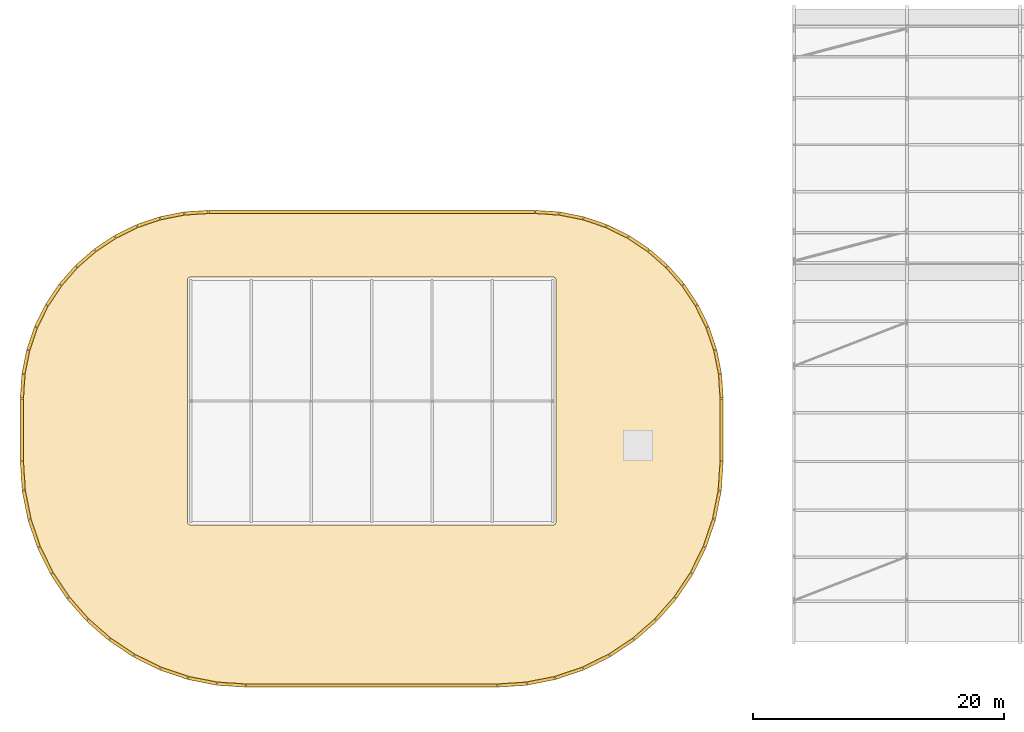
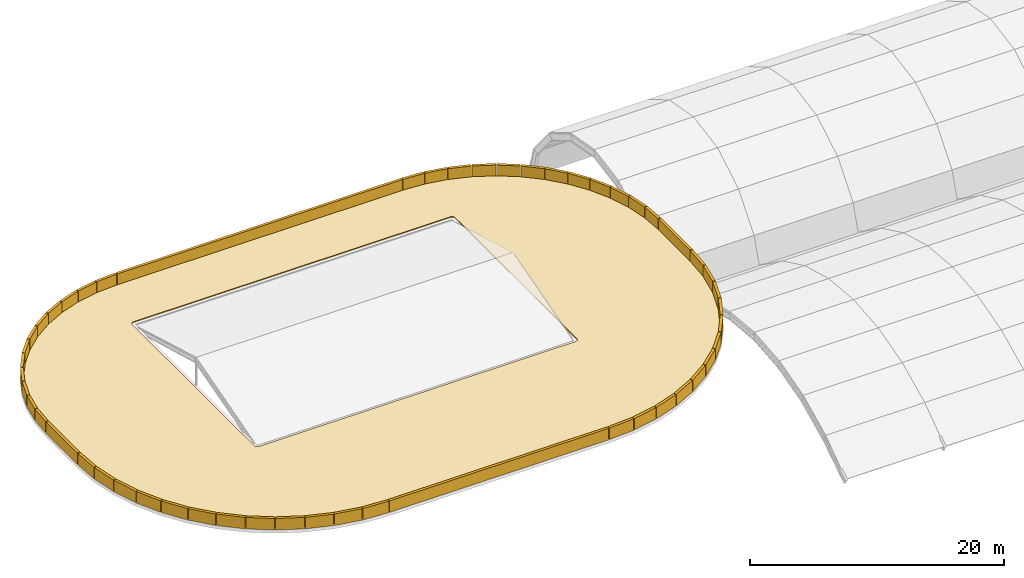
# One storey, part 15 of 15: 53 coverings.
"""IFC4 building model written with IfcOpenShell, lengths in metres."""

from ifc_helpers import new_model, si_unit, direction, frame, origin, origin_2d, place, context, subcontext, project, spatial, polyline, rectangle, outline, extrude, material, layer, layer_set, type_object, element, save


model = new_model("IFC4")

# Units and contexts
model_context = context("Model", 3, precision=1e-05, world=origin(), true_north=direction((0.0, 1.0)))
body_context = subcontext(model_context, "Body", "Model", "MODEL_VIEW")
ifc_project = project(units=[si_unit("LENGTHUNIT", "METRE"), si_unit("AREAUNIT", "SQUARE_METRE"), si_unit("VOLUMEUNIT", "CUBIC_METRE"), si_unit("PLANEANGLEUNIT", "RADIAN"), si_unit("MASSUNIT", "GRAM", prefix="KILO")], contexts=[model_context])

# Site, building, storey
site_placement = place(None, origin())
site = spatial("IfcSite", under=ifc_project, at=site_placement, CompositionType="ELEMENT")
building_placement = place(site_placement, origin())
building = spatial("IfcBuilding", under=site, at=building_placement, Name="Cendralis Terraced Arcade", CompositionType="ELEMENT")
storey_placement = place(building_placement, frame((0.0, 0.0, 34.199951171875)))
storey = spatial("IfcBuildingStorey", under=building, at=storey_placement, Name="RF", CompositionType="ELEMENT", Elevation=34.199951171875)

# Coverings
ifc_material_1 = material(Name="Precast concrete f'c 40 MPa", Category="concrete")
ifc_layer_1 = layer(ifc_material_1, 0.06494140625, Name="COV-CLAD-GRC-65")
ifc_layer_set_1 = layer_set([ifc_layer_1], Name="Precast concrete f'c 40 MPa")
covering_type_1 = type_object("IfcCoveringType", Name="COV-CLAD-GRC-65", PredefinedType="CLADDING", material=ifc_layer_set_1)
for number, where, z_axis, x_axis, name in (
    (1, (6.06201171875, 31.891845703125, 0.0), (0.0, 0.0, 1.0), (0.195090322016, 0.980785280403, 0.0), "Precast Stone Crown Roof Parapet Coping COP-RF-554"),
    (2, (6.563720703125, 33.7646484375, 0.0), (0.0, 0.0, 1.0), (0.321439465303, 0.946930129495, 0.0), "Precast Stone Crown Roof Parapet Coping COP-RF-555"),
    (3, (7.3056640625, 35.555908203125, 0.0), (0.0, 0.0, 1.0), (0.442288690219, 0.896872741533, 0.0), "Precast Stone Crown Roof Parapet Coping COP-RF-556"),
    (4, (8.275146484375, 37.235107421875, 0.0), (0.0, 0.0, 1.0), (0.555584744817, 0.831459915646, 0.0), "Precast Stone Crown Roof Parapet Coping COP-RF-557"),
    (5, (9.45556640625, 38.7734375, 0.0), (0.0, 0.0, 1.0), (0.6593458151, 0.751839807479, 0.0), "Precast Stone Crown Roof Parapet Coping COP-RF-558"),
    (6, (10.82666015625, 40.144287109375, 0.0), (0.0, 0.0, 1.0), (0.751839807479, 0.6593458151, 0.0), "Precast Stone Crown Roof Parapet Coping COP-RF-559"),
    (7, (12.364990234375, 41.32470703125, 0.0), (0.0, 0.0, 1.0), (0.831459915646, 0.555584744817, 0.0), "Precast Stone Crown Roof Parapet Coping COP-RF-560"),
    (8, (14.0439453125, 42.294189453125, 0.0), (0.0, 0.0, 1.0), (0.896872741533, 0.442288690219, 0.0), "Precast Stone Crown Roof Parapet Coping COP-RF-561"),
    (9, (15.835205078125, 43.0361328125, 0.0), (0.0, 0.0, 1.0), (0.946930129495, 0.321439465303, 0.0), "Precast Stone Crown Roof Parapet Coping COP-RF-562"),
    (10, (17.708251953125, 43.5380859375, 0.0), (0.0, 0.0, 1.0), (0.980785280403, 0.195090322016, 0.0), "Precast Stone Crown Roof Parapet Coping COP-RF-563"),
    (11, (19.630615234375, 43.791259765625, 0.0), (0.0, 0.0, 1.0), (0.997860064587, 0.065385713297, 0.0), "Precast Stone Crown Roof Parapet Coping COP-RF-564"),
):
    element("IfcCovering", number, at=place(storey_placement, frame(where, z_axis=z_axis, x_axis=x_axis)), inside=storey, type_object=covering_type_1, Name=name, PredefinedType="CLADDING", context=body_context, shape_type="SweptSolid", body=[
        extrude(rectangle(XDim=1.882080078125, YDim=0.239990234375, at=origin_2d()), origin(), (0.0, 0.0, 1.0), 1.10009765625),
    ])
covering_1_placement = place(storey_placement, frame((33.60009765625, 43.85498046875, 0.0), z_axis=(0.0, 0.0, 1.0), x_axis=(1.0, 0.0, 0.0)))
element("IfcCovering", 12, at=covering_1_placement, inside=storey, type_object=covering_type_1, Name="Precast Stone Crown Roof Parapet Coping COP-RF-565", PredefinedType="CLADDING", context=body_context, shape_type="SweptSolid", body=[
    extrude(rectangle(XDim=25.919921875, YDim=0.239990234375, at=origin_2d()), origin(), (0.0, 0.0, 1.0), 1.10009765625),
])
for number, where, z_axis, x_axis, name in (
    (13, (47.569580078125, 43.791259765625, 0.0), (0.0, 0.0, 1.0), (0.997860064587, -0.065385713297, 0.0), "Precast Stone Crown Roof Parapet Coping COP-RF-566"),
    (14, (49.49169921875, 43.5380859375, 0.0), (0.0, 0.0, 1.0), (0.980785280403, -0.195090322016, 0.0), "Precast Stone Crown Roof Parapet Coping COP-RF-567"),
    (15, (51.36474609375, 43.0361328125, 0.0), (0.0, 0.0, 1.0), (0.946930129495, -0.321439465303, 0.0), "Precast Stone Crown Roof Parapet Coping COP-RF-568"),
    (16, (53.156005859375, 42.294189453125, 0.0), (0.0, 0.0, 1.0), (0.896872741533, -0.442288690219, 0.0), "Precast Stone Crown Roof Parapet Coping COP-RF-569"),
    (17, (54.835205078125, 41.32470703125, 0.0), (0.0, 0.0, 1.0), (0.831459915646, -0.555584744817, 0.0), "Precast Stone Crown Roof Parapet Coping COP-RF-570"),
    (18, (56.373291015625, 40.144287109375, 0.0), (0.0, 0.0, 1.0), (0.751839807479, -0.6593458151, 0.0), "Precast Stone Crown Roof Parapet Coping COP-RF-571"),
    (19, (57.744384765625, 38.7734375, 0.0), (0.0, 0.0, 1.0), (0.6593458151, -0.751839807479, 0.0), "Precast Stone Crown Roof Parapet Coping COP-RF-572"),
    (20, (58.9248046875, 37.235107421875, 0.0), (0.0, 0.0, 1.0), (0.555584744817, -0.831459915646, 0.0), "Precast Stone Crown Roof Parapet Coping COP-RF-573"),
    (21, (59.894287109375, 35.555908203125, 0.0), (0.0, 0.0, 1.0), (0.442288690219, -0.896872741533, 0.0), "Precast Stone Crown Roof Parapet Coping COP-RF-574"),
    (22, (60.63623046875, 33.7646484375, 0.0), (0.0, 0.0, 1.0), (0.321439465303, -0.946930129495, 0.0), "Precast Stone Crown Roof Parapet Coping COP-RF-575"),
    (23, (61.13818359375, 31.891845703125, 0.0), (0.0, 0.0, 1.0), (0.195090322016, -0.980785280403, 0.0), "Precast Stone Crown Roof Parapet Coping COP-RF-576"),
    (24, (61.39111328125, 29.969482421875, 0.0), (0.0, 0.0, 1.0), (0.065385713297, -0.997860064587, 0.0), "Precast Stone Crown Roof Parapet Coping COP-RF-577"),
):
    element("IfcCovering", number, at=place(storey_placement, frame(where, z_axis=z_axis, x_axis=x_axis)), inside=storey, type_object=covering_type_1, Name=name, PredefinedType="CLADDING", context=body_context, shape_type="SweptSolid", body=[
        extrude(rectangle(XDim=1.882080078125, YDim=0.239990234375, at=origin_2d()), origin(), (0.0, 0.0, 1.0), 1.10009765625),
    ])
covering_2_placement = place(storey_placement, frame((61.455078125, 26.5, 0.0), z_axis=(0.0, 0.0, 1.0), x_axis=(0.0, -1.0, 0.0)))
element("IfcCovering", 25, at=covering_2_placement, inside=storey, type_object=covering_type_1, Name="Precast Stone Crown Roof Parapet Coping COP-RF-578", PredefinedType="CLADDING", context=body_context, shape_type="SweptSolid", body=[
    extrude(rectangle(XDim=4.919921875, YDim=0.239990234375, at=origin_2d()), origin(), (0.0, 0.0, 1.0), 1.10009765625),
])
for number, where, z_axis, x_axis, name in (
    (26, (61.37841796875, 22.834716796875, 0.0), (0.0, 0.0, 1.0), (-0.06540312923, -0.997858923239, 0.0), "Precast Stone Crown Roof Parapet Coping COP-RF-579"),
    (27, (61.07421875, 20.524169921875, 0.0), (0.0, 0.0, 1.0), (-0.195073204054, -0.980788685222, 0.0), "Precast Stone Crown Roof Parapet Coping COP-RF-580"),
):
    element("IfcCovering", number, at=place(storey_placement, frame(where, z_axis=z_axis, x_axis=x_axis)), inside=storey, type_object=covering_type_1, Name=name, PredefinedType="CLADDING", context=body_context, shape_type="SweptSolid", body=[
        extrude(rectangle(XDim=2.2744140625, YDim=0.239990234375, at=origin_2d()), origin(), (0.0, 0.0, 1.0), 1.10009765625),
    ])
covering_3_placement = place(storey_placement, frame((60.470947265625, 18.273193359375, 0.0), z_axis=(0.0, 0.0, 1.0), x_axis=(-0.321455992303, -0.946924519174, 0.0)))
element("IfcCovering", 28, at=covering_3_placement, inside=storey, type_object=covering_type_1, Name="Precast Stone Crown Roof Parapet Coping COP-RF-581", PredefinedType="CLADDING", context=body_context, shape_type="SweptSolid", body=[
    extrude(rectangle(XDim=2.274658203125, YDim=0.239990234375, at=origin_2d()), origin(), (0.0, 0.0, 1.0), 1.10009765625),
])
for number, where, z_axis, x_axis, name in (
    (29, (59.5791015625, 16.119873046875, 0.0), (0.0, 0.0, 1.0), (-0.442257383185, -0.896888179774, 0.0), "Precast Stone Crown Roof Parapet Coping COP-RF-582"),
    (30, (58.413818359375, 14.101806640625, 0.0), (0.0, 0.0, 1.0), (-0.55557023302, -0.831469612303, 0.0), "Precast Stone Crown Roof Parapet Coping COP-RF-583"),
    (31, (56.9951171875, 12.252685546875, 0.0), (0.0, 0.0, 1.0), (-0.65935893708, -0.751828299609, 0.0), "Precast Stone Crown Roof Parapet Coping COP-RF-584"),
    (32, (55.34716796875, 10.604736328125, 0.0), (0.0, 0.0, 1.0), (-0.751828299609, -0.65935893708, 0.0), "Precast Stone Crown Roof Parapet Coping COP-RF-585"),
    (33, (53.498291015625, 9.18603515625, 0.0), (0.0, 0.0, 1.0), (-0.831469612303, -0.55557023302, 0.0), "Precast Stone Crown Roof Parapet Coping COP-RF-586"),
    (34, (51.47998046875, 8.020751953125, 0.0), (0.0, 0.0, 1.0), (-0.896888179774, -0.442257383185, 0.0), "Precast Stone Crown Roof Parapet Coping COP-RF-587"),
):
    element("IfcCovering", number, at=place(storey_placement, frame(where, z_axis=z_axis, x_axis=x_axis)), inside=storey, type_object=covering_type_1, Name=name, PredefinedType="CLADDING", context=body_context, shape_type="SweptSolid", body=[
        extrude(rectangle(XDim=2.2744140625, YDim=0.239990234375, at=origin_2d()), origin(), (0.0, 0.0, 1.0), 1.10009765625),
    ])
covering_4_placement = place(storey_placement, frame((49.326904296875, 7.129150390625, 0.0), z_axis=(0.0, 0.0, 1.0), x_axis=(-0.946924519174, -0.321455992303, 0.0)))
element("IfcCovering", 35, at=covering_4_placement, inside=storey, type_object=covering_type_1, Name="Precast Stone Crown Roof Parapet Coping COP-RF-588", PredefinedType="CLADDING", context=body_context, shape_type="SweptSolid", body=[
    extrude(rectangle(XDim=2.274658203125, YDim=0.239990234375, at=origin_2d()), origin(), (0.0, 0.0, 1.0), 1.10009765625),
])
for number, where, z_axis, x_axis, name in (
    (36, (47.07568359375, 6.52587890625, 0.0), (0.0, 0.0, 1.0), (-0.980788685222, -0.195073204054, 0.0), "Precast Stone Crown Roof Parapet Coping COP-RF-589"),
    (37, (44.76513671875, 6.2216796875, 0.0), (0.0, 0.0, 1.0), (-0.997858923239, -0.06540312923, 0.0), "Precast Stone Crown Roof Parapet Coping COP-RF-590"),
):
    element("IfcCovering", number, at=place(storey_placement, frame(where, z_axis=z_axis, x_axis=x_axis)), inside=storey, type_object=covering_type_1, Name=name, PredefinedType="CLADDING", context=body_context, shape_type="SweptSolid", body=[
        extrude(rectangle(XDim=2.2744140625, YDim=0.239990234375, at=origin_2d()), origin(), (0.0, 0.0, 1.0), 1.10009765625),
    ])
covering_5_placement = place(storey_placement, frame((33.60009765625, 6.14501953125, 0.0), z_axis=(0.0, 0.0, 1.0), x_axis=(-1.0, 0.0, 0.0)))
element("IfcCovering", 38, at=covering_5_placement, inside=storey, type_object=covering_type_1, Name="Precast Stone Crown Roof Parapet Coping COP-RF-591", PredefinedType="CLADDING", context=body_context, shape_type="SweptSolid", body=[
    extrude(rectangle(XDim=19.919921875, YDim=0.239990234375, at=origin_2d()), origin(), (0.0, 0.0, 1.0), 1.10009765625),
])
for number, where, z_axis, x_axis, name in (
    (39, (22.434814453125, 6.2216796875, 0.0), (0.0, 0.0, 1.0), (-0.997858923239, 0.06540312923, 0.0), "Precast Stone Crown Roof Parapet Coping COP-RF-592"),
    (40, (20.124267578125, 6.52587890625, 0.0), (0.0, 0.0, 1.0), (-0.980788685222, 0.195073204054, 0.0), "Precast Stone Crown Roof Parapet Coping COP-RF-593"),
):
    element("IfcCovering", number, at=place(storey_placement, frame(where, z_axis=z_axis, x_axis=x_axis)), inside=storey, type_object=covering_type_1, Name=name, PredefinedType="CLADDING", context=body_context, shape_type="SweptSolid", body=[
        extrude(rectangle(XDim=2.2744140625, YDim=0.239990234375, at=origin_2d()), origin(), (0.0, 0.0, 1.0), 1.10009765625),
    ])
covering_6_placement = place(storey_placement, frame((17.873046875, 7.129150390625, 0.0), z_axis=(0.0, 0.0, 1.0), x_axis=(-0.946924519174, 0.321455992303, 0.0)))
element("IfcCovering", 41, at=covering_6_placement, inside=storey, type_object=covering_type_1, Name="Precast Stone Crown Roof Parapet Coping COP-RF-594", PredefinedType="CLADDING", context=body_context, shape_type="SweptSolid", body=[
    extrude(rectangle(XDim=2.274658203125, YDim=0.239990234375, at=origin_2d()), origin(), (0.0, 0.0, 1.0), 1.10009765625),
])
for number, where, z_axis, x_axis, name in (
    (42, (15.719970703125, 8.020751953125, 0.0), (0.0, 0.0, 1.0), (-0.896888179774, 0.442257383185, 0.0), "Precast Stone Crown Roof Parapet Coping COP-RF-595"),
    (43, (13.701904296875, 9.18603515625, 0.0), (0.0, 0.0, 1.0), (-0.831469612303, 0.55557023302, 0.0), "Precast Stone Crown Roof Parapet Coping COP-RF-596"),
    (44, (11.852783203125, 10.604736328125, 0.0), (0.0, 0.0, 1.0), (-0.751828299609, 0.65935893708, 0.0), "Precast Stone Crown Roof Parapet Coping COP-RF-597"),
    (45, (10.204833984375, 12.252685546875, 0.0), (0.0, 0.0, 1.0), (-0.65935893708, 0.751828299609, 0.0), "Precast Stone Crown Roof Parapet Coping COP-RF-598"),
    (46, (8.7861328125, 14.101806640625, 0.0), (0.0, 0.0, 1.0), (-0.55557023302, 0.831469612303, 0.0), "Precast Stone Crown Roof Parapet Coping COP-RF-599"),
    (47, (7.620849609375, 16.119873046875, 0.0), (0.0, 0.0, 1.0), (-0.442257383185, 0.896888179774, 0.0), "Precast Stone Crown Roof Parapet Coping COP-RF-600"),
):
    element("IfcCovering", number, at=place(storey_placement, frame(where, z_axis=z_axis, x_axis=x_axis)), inside=storey, type_object=covering_type_1, Name=name, PredefinedType="CLADDING", context=body_context, shape_type="SweptSolid", body=[
        extrude(rectangle(XDim=2.2744140625, YDim=0.239990234375, at=origin_2d()), origin(), (0.0, 0.0, 1.0), 1.10009765625),
    ])
covering_7_placement = place(storey_placement, frame((6.72900390625, 18.273193359375, 0.0), z_axis=(0.0, 0.0, 1.0), x_axis=(-0.321455992303, 0.946924519174, 0.0)))
element("IfcCovering", 48, at=covering_7_placement, inside=storey, type_object=covering_type_1, Name="Precast Stone Crown Roof Parapet Coping COP-RF-601", PredefinedType="CLADDING", context=body_context, shape_type="SweptSolid", body=[
    extrude(rectangle(XDim=2.274658203125, YDim=0.239990234375, at=origin_2d()), origin(), (0.0, 0.0, 1.0), 1.10009765625),
])
for number, where, z_axis, x_axis, name in (
    (49, (6.125732421875, 20.524169921875, 0.0), (0.0, 0.0, 1.0), (-0.195073204054, 0.980788685222, 0.0), "Precast Stone Crown Roof Parapet Coping COP-RF-602"),
    (50, (5.82177734375, 22.834716796875, 0.0), (0.0, 0.0, 1.0), (-0.06540312923, 0.997858923239, 0.0), "Precast Stone Crown Roof Parapet Coping COP-RF-603"),
):
    element("IfcCovering", number, at=place(storey_placement, frame(where, z_axis=z_axis, x_axis=x_axis)), inside=storey, type_object=covering_type_1, Name=name, PredefinedType="CLADDING", context=body_context, shape_type="SweptSolid", body=[
        extrude(rectangle(XDim=2.2744140625, YDim=0.239990234375, at=origin_2d()), origin(), (0.0, 0.0, 1.0), 1.10009765625),
    ])
covering_8_placement = place(storey_placement, frame((5.7451171875, 26.5, 0.0), z_axis=(0.0, 0.0, 1.0), x_axis=(0.0, 1.0, 0.0)))
element("IfcCovering", 51, at=covering_8_placement, inside=storey, type_object=covering_type_1, Name="Precast Stone Crown Roof Parapet Coping COP-RF-604", PredefinedType="CLADDING", context=body_context, shape_type="SweptSolid", body=[
    extrude(rectangle(XDim=4.919921875, YDim=0.239990234375, at=origin_2d()), origin(), (0.0, 0.0, 1.0), 1.10009765625),
])
covering_9_placement = place(storey_placement, frame((5.808837890625, 29.969482421875, 0.0), z_axis=(0.0, 0.0, 1.0), x_axis=(0.065385713297, 0.997860064587, 0.0)))
element("IfcCovering", 52, at=covering_9_placement, inside=storey, type_object=covering_type_1, Name="Precast Stone Crown Roof Parapet Coping COP-RF-605", PredefinedType="CLADDING", context=body_context, shape_type="SweptSolid", body=[
    extrude(rectangle(XDim=1.882080078125, YDim=0.239990234375, at=origin_2d()), origin(), (0.0, 0.0, 1.0), 1.10009765625),
])
ifc_material_2 = material(Name="TPO insulated waterproofing membrane")
ifc_layer_2 = layer(ifc_material_2, 0.080078125, Name="COV-ROOF-MEM-80")
ifc_layer_set_2 = layer_set([ifc_layer_2], Name="TPO insulated waterproofing membrane")
covering_type_2 = type_object("IfcCoveringType", Name="COV-ROOF-MEM-80", PredefinedType="ROOFING", material=ifc_layer_set_2)
covering_10_placement = place(storey_placement, origin())
element("IfcCovering", 53, at=covering_10_placement, inside=storey, type_object=covering_type_2, Name="Insulated Waterproofing Roof Membrane RF-10", PredefinedType="ROOFING", context=body_context, shape_type="SweptSolid", body=[
    extrude(outline(polyline([(6.006591796875, 30.92138671875), (6.382080078125, 32.809814453125), (7.0009765625, 34.6328125), (7.8525390625, 36.359619140625), (8.92236328125, 37.960693359375), (10.19189453125, 39.408203125), (11.639404296875, 40.677734375), (13.240234375, 41.747314453125), (14.967041015625, 42.59912109375), (16.790283203125, 43.218017578125), (18.6787109375, 43.593505859375), (20.609130859375, 43.719970703125), (46.5908203125, 43.719970703125), (48.521240234375, 43.593505859375), (50.40966796875, 43.218017578125), (52.23291015625, 42.59912109375), (53.959716796875, 41.747314453125), (55.560546875, 40.677734375), (57.00830078125, 39.408203125), (58.277587890625, 37.960693359375), (59.347412109375, 36.359619140625), (60.198974609375, 34.6328125), (60.81787109375, 32.809814453125), (61.193603515625, 30.92138671875), (61.320068359375, 28.99072265625), (61.320068359375, 24.00927734375), (61.167724609375, 21.68701171875), (60.7158203125, 19.413818359375), (59.970703125, 17.218994140625), (58.945556640625, 15.140380859375), (57.65771484375, 13.213134765625), (56.12939453125, 11.470458984375), (54.386962890625, 9.942138671875), (52.459716796875, 8.654541015625), (50.380859375, 7.62939453125), (48.18603515625, 6.88427734375), (45.912841796875, 6.43212890625), (43.5908203125, 6.280029296875), (23.609130859375, 6.280029296875), (21.287109375, 6.43212890625), (19.013916015625, 6.88427734375), (16.819091796875, 7.62939453125), (14.740234375, 8.654541015625), (12.81298828125, 9.942138671875), (11.070556640625, 11.470458984375), (9.542236328125, 13.213134765625), (8.25439453125, 15.140380859375), (7.2294921875, 17.218994140625), (6.484375, 19.413818359375), (6.0322265625, 21.68701171875), (5.8798828125, 24.00927734375), (5.8798828125, 28.99072265625), (6.006591796875, 30.92138671875)]), holes=[polyline([(48.280029296875, 38.39990234375), (48.27880859375, 38.427490234375), (48.274658203125, 38.45458984375), (48.267822265625, 38.481201171875), (48.2587890625, 38.507080078125), (48.246826171875, 38.531982421875), (48.23291015625, 38.5556640625), (48.21630859375, 38.57763671875), (48.197998046875, 38.597900390625), (48.177490234375, 38.616455078125), (48.155517578125, 38.6328125), (48.132080078125, 38.64697265625), (48.107177734375, 38.65869140625), (48.081298828125, 38.66796875), (48.0546875, 38.674560546875), (48.02734375, 38.6787109375), (48.0, 38.679931640625), (19.199951171875, 38.679931640625), (19.172607421875, 38.6787109375), (19.1455078125, 38.674560546875), (19.11865234375, 38.66796875), (19.0927734375, 38.65869140625), (19.068115234375, 38.64697265625), (19.04443359375, 38.6328125), (19.0224609375, 38.616455078125), (19.001953125, 38.597900390625), (18.983642578125, 38.57763671875), (18.96728515625, 38.5556640625), (18.953125, 38.531982421875), (18.94140625, 38.507080078125), (18.93212890625, 38.481201171875), (18.92529296875, 38.45458984375), (18.92138671875, 38.427490234375), (18.919921875, 38.39990234375), (18.919921875, 19.199951171875), (18.92138671875, 19.172607421875), (18.92529296875, 19.1455078125), (18.93212890625, 19.11865234375), (18.94140625, 19.0927734375), (18.953125, 19.068115234375), (18.96728515625, 19.04443359375), (18.983642578125, 19.0224609375), (19.001953125, 19.001953125), (19.0224609375, 18.983642578125), (19.04443359375, 18.96728515625), (19.068115234375, 18.953125), (19.0927734375, 18.94140625), (19.11865234375, 18.93212890625), (19.1455078125, 18.92529296875), (19.172607421875, 18.92138671875), (19.199951171875, 18.919921875), (48.0, 18.919921875), (48.02734375, 18.92138671875), (48.0546875, 18.92529296875), (48.081298828125, 18.93212890625), (48.107177734375, 18.94140625), (48.132080078125, 18.953125), (48.155517578125, 18.96728515625), (48.177490234375, 18.983642578125), (48.197998046875, 19.001953125), (48.21630859375, 19.0224609375), (48.23291015625, 19.04443359375), (48.246826171875, 19.068115234375), (48.2587890625, 19.0927734375), (48.267822265625, 19.11865234375), (48.274658203125, 19.1455078125), (48.27880859375, 19.172607421875), (48.280029296875, 19.199951171875), (48.280029296875, 38.39990234375)])]), origin(), (0.0, 0.0, 1.0), 0.080078125),
])

save(model, "model.ifc")
